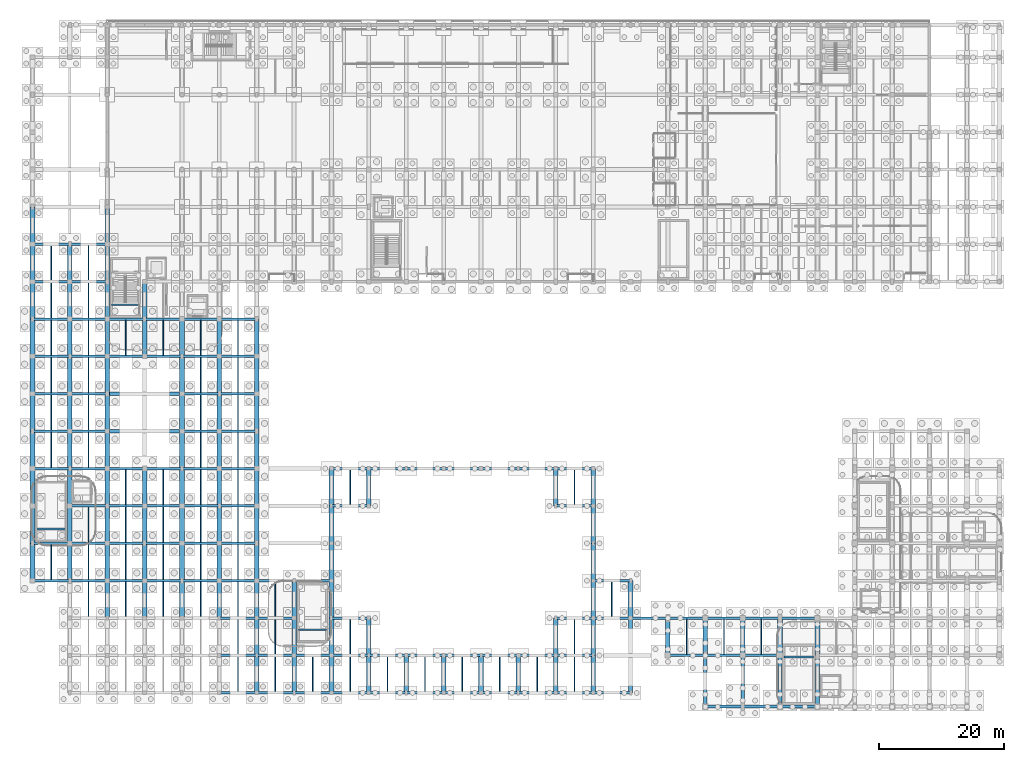
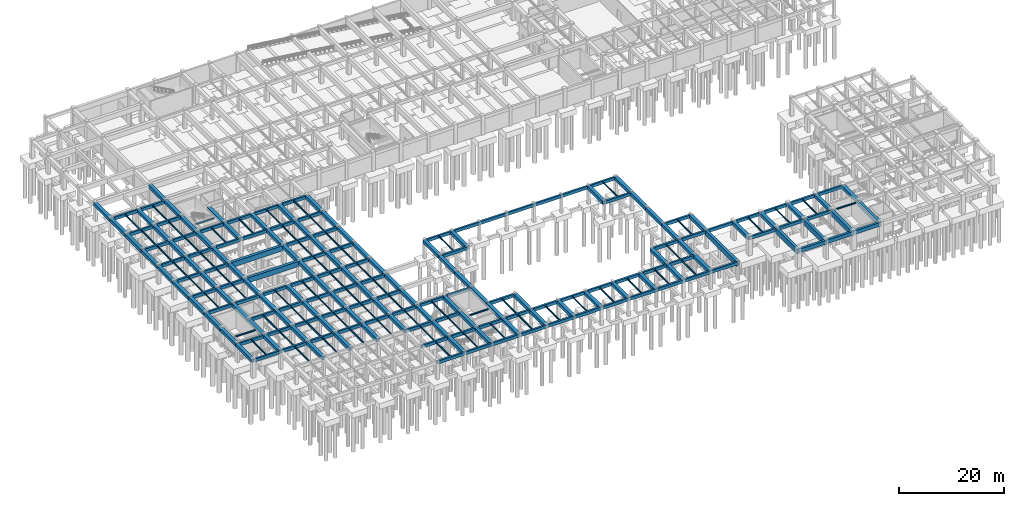
# One storey, part 13 of 32: 263 beams.
"""IFC4 building model written with IfcOpenShell, lengths in metres."""

from ifc_helpers import new_model, si_unit, direction, frame, origin, origin_2d, place, context, subcontext, project, spatial, rectangle, i_section, extrude, material, material_profile, profile_set, type_object, element, save


model = new_model("IFC4")

# Units and contexts
model_context = context("Model", 3, precision=1e-05, world=origin(), true_north=direction((0.0, 1.0)))
body_context = subcontext(model_context, "Body", "Model", "MODEL_VIEW")
ifc_project = project(units=[si_unit("LENGTHUNIT", "METRE"), si_unit("AREAUNIT", "SQUARE_METRE"), si_unit("VOLUMEUNIT", "CUBIC_METRE"), si_unit("PLANEANGLEUNIT", "RADIAN"), si_unit("MASSUNIT", "GRAM", prefix="KILO")], contexts=[model_context])

# Site, building, storey
site_placement = place(None, origin())
site = spatial("IfcSite", under=ifc_project, at=site_placement, CompositionType="ELEMENT")
building_placement = place(site_placement, origin())
building = spatial("IfcBuilding", under=site, at=building_placement, Name="Varnakota Square Police Headquarters", CompositionType="ELEMENT")
storey_placement = place(building_placement, frame((0.0, 0.0, -4.5)))
storey = spatial("IfcBuildingStorey", under=building, at=storey_placement, Name="B1", CompositionType="ELEMENT", Elevation=-4.5)

# Beams
ifc_material_1 = material(Name="Steel IS 2062 Grade 350", Category="steel")
ifc_material_profile_1 = material_profile(ifc_material_1, i_section(OverallWidth=0.25, OverallDepth=0.300048828125, WebThickness=0.009521484375, FlangeThickness=0.010498046875, FilletRadius=0.011962890625, at=origin_2d()), Name="ISHB 300")
ifc_profile_set_1 = profile_set([ifc_material_profile_1], Name="Steel IS 2062 Grade 350")
beam_type_1 = type_object("IfcBeamType", Name="BM-ISHB300", PredefinedType="BEAM", material=ifc_profile_set_1)
for number, where, z_axis, x_axis, name in (
    (1, (126.60009765625, 8.75, 4.070068359375), (1.0, 0.0, 0.0), (0.0, 1.0, 0.0), "Stair landing support beam BM-LND-0003"),
    (2, (6.60009765625, 29.300048828125, 4.050048828125), (1.0, 0.0, 0.0), (0.0, 1.0, 0.0), "Stair landing support beam BM-LND-0048"),
):
    element("IfcBeam", number, at=place(storey_placement, frame(where, z_axis=z_axis, x_axis=x_axis)), inside=storey, type_object=beam_type_1, Name=name, PredefinedType="BEAM", context=body_context, shape_type="SweptSolid", body=[
        extrude(i_section(OverallWidth=0.25, OverallDepth=0.300048828125, WebThickness=0.009521484375, FlangeThickness=0.010498046875, FilletRadius=0.011962890625, at=origin_2d()), origin(), (0.0, 0.0, 1.0), 4.7998046875),
    ])
for number, where, z_axis, x_axis, name in (
    (3, (18.699951171875, 65.300048828125, 4.050048828125), (1.0, 0.0, 0.0), (0.0, 1.0, 0.0), "Stair landing support beam BM-LND-0058"),
    (4, (48.699951171875, 13.10009765625, 4.10009765625), (1.0, 0.0, 0.0), (0.0, 1.0, 0.0), "Stair landing support beam BM-LND-0104"),
):
    element("IfcBeam", number, at=place(storey_placement, frame(where, z_axis=z_axis, x_axis=x_axis)), inside=storey, type_object=beam_type_1, Name=name, PredefinedType="BEAM", context=body_context, shape_type="SweptSolid", body=[
        extrude(i_section(OverallWidth=0.25, OverallDepth=0.300048828125, WebThickness=0.009521484375, FlangeThickness=0.010498046875, FilletRadius=0.011962890625, at=origin_2d()), origin(), (0.0, 0.0, 1.0), 4.5),
    ])
ifc_material_profile_2 = material_profile(ifc_material_1, i_section(OverallWidth=0.139892578125, OverallDepth=0.300048828125, WebThickness=0.0078125, FlangeThickness=0.01318359375, FilletRadius=0.013916015625, at=origin_2d()), Name="ISMB 300")
ifc_profile_set_2 = profile_set([ifc_material_profile_2], Name="Steel IS 2062 Grade 350")
beam_type_2 = type_object("IfcBeamType", Name="BM-ISMB300", PredefinedType="JOIST", material=ifc_profile_set_2)
for number, where, z_axis, x_axis, name in (
    (5, (9.0, 45.197998046875, 4.050048828125), (0.0, 1.0, 0.0), (-1.0, 0.0, 0.0), "BMG-B1-0552"),
    (6, (9.0, 63.197998046875, 4.050048828125), (0.0, 1.0, 0.0), (-1.0, 0.0, 0.0), "BMG-B1-0555"),
    (7, (15.0, 21.197998046875, 4.050048828125), (0.0, 1.0, 0.0), (-1.0, 0.0, 0.0), "BMG-B1-0560"),
    (8, (15.0, 39.197998046875, 4.050048828125), (0.0, 1.0, 0.0), (-1.0, 0.0, 0.0), "BMG-B1-0562"),
    (9, (15.0, 57.197998046875, 4.050048828125), (0.0, 1.0, 0.0), (-1.0, 0.0, 0.0), "BMG-B1-0565"),
    (10, (21.0, 15.197998046875, 4.050048828125), (0.0, 1.0, 0.0), (-1.0, 0.0, 0.0), "BMG-B1-0570"),
    (11, (21.0, 33.197998046875, 4.050048828125), (0.0, 1.0, 0.0), (-1.0, 0.0, 0.0), "BMG-B1-0573"),
    (12, (27.0, 27.197998046875, 4.050048828125), (0.0, 1.0, 0.0), (-1.0, 0.0, 0.0), "BMG-B1-0579"),
    (13, (33.0, 21.197998046875, 4.050048828125), (0.0, 1.0, 0.0), (-1.0, 0.0, 0.0), "BMG-B1-0586"),
    (14, (33.0, 39.197998046875, 4.050048828125), (0.0, 1.0, 0.0), (-1.0, 0.0, 0.0), "BMG-B1-0589"),
    (15, (33.0, 57.197998046875, 4.050048828125), (0.0, 1.0, 0.0), (-1.0, 0.0, 0.0), "BMG-B1-0592"),
    (16, (39.0, 15.197998046875, 4.050048828125), (0.0, 1.0, 0.0), (-1.0, 0.0, 0.0), "BMG-B1-0598"),
    (17, (39.0, 33.197998046875, 4.050048828125), (0.0, 1.0, 0.0), (-1.0, 0.0, 0.0), "BMG-B1-0601"),
    (18, (39.0, 51.197998046875, 4.050048828125), (0.0, 1.0, 0.0), (-1.0, 0.0, 0.0), "BMG-B1-0604"),
    (19, (45.0, 9.197998046875, 4.050048828125), (0.0, 1.0, 0.0), (-1.0, 0.0, 0.0), "BMG-B1-0611"),
    (20, (51.0, 3.197998046875, 4.050048828125), (0.0, 1.0, 0.0), (-1.0, 0.0, 0.0), "BMG-B1-0616"),
    (21, (57.0, 33.197998046875, 4.050048828125), (0.0, 1.0, 0.0), (-1.0, 0.0, 0.0), "BMG-B1-0621"),
    (22, (69.0, 3.197998046875, 4.050048828125), (0.0, 1.0, 0.0), (-1.0, 0.0, 0.0), "BMG-B1-0623"),
    (23, (87.0, 3.197998046875, 4.050048828125), (0.0, 1.0, 0.0), (-1.0, 0.0, 0.0), "BMG-B1-0629"),
    (24, (93.0, 33.197998046875, 4.050048828125), (0.0, 1.0, 0.0), (-1.0, 0.0, 0.0), "BMG-B1-0633"),
    (25, (117.0, 9.197998046875, 4.050048828125), (0.0, 1.0, 0.0), (-1.0, 0.0, 0.0), "BMG-B1-0641"),
):
    element("IfcBeam", number, at=place(storey_placement, frame(where, z_axis=z_axis, x_axis=x_axis)), inside=storey, type_object=beam_type_2, Name=name, PredefinedType="JOIST", context=body_context, shape_type="SweptSolid", body=[
        extrude(i_section(OverallWidth=0.139892578125, OverallDepth=0.300048828125, WebThickness=0.0078125, FlangeThickness=0.01318359375, FilletRadius=0.013916015625, at=origin_2d()), origin(), (0.0, 0.0, 1.0), 5.60400390625),
    ])
ifc_material_profile_3 = material_profile(ifc_material_1, i_section(OverallWidth=0.139892578125, OverallDepth=0.35009765625, WebThickness=0.008056640625, FlangeThickness=0.01416015625, FilletRadius=0.013916015625, at=origin_2d()), Name="ISMB 350")
ifc_profile_set_3 = profile_set([ifc_material_profile_3], Name="Steel IS 2062 Grade 350")
beam_type_3 = type_object("IfcBeamType", Name="BM-ISMB350", PredefinedType="JOIST", material=ifc_profile_set_3)
for number, where, z_axis, x_axis, name in (
    (26, (9.0, 21.197998046875, 4.02490234375), (0.0, 1.0, 0.0), (-1.0, 0.0, 0.0), "BMG-B1-0550"),
    (27, (9.0, 39.197998046875, 4.02490234375), (0.0, 1.0, 0.0), (-1.0, 0.0, 0.0), "BMG-B1-0551"),
    (28, (9.0, 57.197998046875, 4.02490234375), (0.0, 1.0, 0.0), (-1.0, 0.0, 0.0), "BMG-B1-0554"),
    (29, (15.0, 15.197998046875, 4.02490234375), (0.0, 1.0, 0.0), (-1.0, 0.0, 0.0), "BMG-B1-0559"),
    (30, (15.0, 51.197998046875, 4.02490234375), (0.0, 1.0, 0.0), (-1.0, 0.0, 0.0), "BMG-B1-0564"),
    (31, (15.0, 69.197998046875, 4.02490234375), (0.0, 1.0, 0.0), (-1.0, 0.0, 0.0), "BMG-B1-0567"),
    (32, (21.0, 27.197998046875, 4.02490234375), (0.0, 1.0, 0.0), (-1.0, 0.0, 0.0), "BMG-B1-0572"),
    (33, (27.0, 21.197998046875, 4.02490234375), (0.0, 1.0, 0.0), (-1.0, 0.0, 0.0), "BMG-B1-0578"),
    (34, (27.0, 57.197998046875, 4.02490234375), (0.0, 1.0, 0.0), (-1.0, 0.0, 0.0), "BMG-B1-0581"),
    (35, (33.0, 15.197998046875, 4.02490234375), (0.0, 1.0, 0.0), (-1.0, 0.0, 0.0), "BMG-B1-0585"),
    (36, (33.0, 33.197998046875, 4.02490234375), (0.0, 1.0, 0.0), (-1.0, 0.0, 0.0), "BMG-B1-0588"),
    (37, (33.0, 51.197998046875, 4.02490234375), (0.0, 1.0, 0.0), (-1.0, 0.0, 0.0), "BMG-B1-0591"),
    (38, (39.0, 9.197998046875, 4.02490234375), (0.0, 1.0, 0.0), (-1.0, 0.0, 0.0), "BMG-B1-0597"),
    (39, (39.0, 27.197998046875, 4.02490234375), (0.0, 1.0, 0.0), (-1.0, 0.0, 0.0), "BMG-B1-0600"),
    (40, (39.0, 45.197998046875, 4.02490234375), (0.0, 1.0, 0.0), (-1.0, 0.0, 0.0), "BMG-B1-0603"),
    (41, (45.0, 3.197998046875, 4.02490234375), (0.0, 1.0, 0.0), (-1.0, 0.0, 0.0), "BMG-B1-0610"),
    (42, (57.0, 9.197998046875, 4.02490234375), (0.0, 1.0, 0.0), (-1.0, 0.0, 0.0), "BMG-B1-0620"),
    (43, (63.0, 3.197998046875, 4.02490234375), (0.0, 1.0, 0.0), (-1.0, 0.0, 0.0), "BMG-B1-0622"),
    (44, (81.0, 3.197998046875, 4.02490234375), (0.0, 1.0, 0.0), (-1.0, 0.0, 0.0), "BMG-B1-0627"),
    (45, (93.0, 9.197998046875, 4.02490234375), (0.0, 1.0, 0.0), (-1.0, 0.0, 0.0), "BMG-B1-0632"),
    (46, (111.0, 9.197998046875, 4.02490234375), (0.0, 1.0, 0.0), (-1.0, 0.0, 0.0), "BMG-B1-0636"),
):
    element("IfcBeam", number, at=place(storey_placement, frame(where, z_axis=z_axis, x_axis=x_axis)), inside=storey, type_object=beam_type_3, Name=name, PredefinedType="JOIST", context=body_context, shape_type="SweptSolid", body=[
        extrude(i_section(OverallWidth=0.139892578125, OverallDepth=0.35009765625, WebThickness=0.008056640625, FlangeThickness=0.01416015625, FilletRadius=0.013916015625, at=origin_2d()), origin(), (0.0, 0.0, 1.0), 5.60400390625),
    ])
ifc_material_profile_4 = material_profile(ifc_material_1, i_section(OverallWidth=0.139892578125, OverallDepth=0.39990234375, WebThickness=0.0087890625, FlangeThickness=0.01611328125, FilletRadius=0.013916015625, at=origin_2d()), Name="ISMB 400")
ifc_profile_set_4 = profile_set([ifc_material_profile_4], Name="Steel IS 2062 Grade 350")
beam_type_4 = type_object("IfcBeamType", Name="BM-ISMB400", PredefinedType="JOIST", material=ifc_profile_set_4)
for number, where, z_axis, x_axis, name in (
    (47, (9.0, 51.197998046875, 4.0), (0.0, 1.0, 0.0), (-1.0, 0.0, 0.0), "BMG-B1-0553"),
    (48, (9.0, 69.197998046875, 4.0), (0.0, 1.0, 0.0), (-1.0, 0.0, 0.0), "BMG-B1-0556"),
    (49, (15.0, 27.197998046875, 4.0), (0.0, 1.0, 0.0), (-1.0, 0.0, 0.0), "BMG-B1-0561"),
    (50, (15.0, 45.197998046875, 4.0), (0.0, 1.0, 0.0), (-1.0, 0.0, 0.0), "BMG-B1-0563"),
    (51, (15.0, 63.197998046875, 4.0), (0.0, 1.0, 0.0), (-1.0, 0.0, 0.0), "BMG-B1-0566"),
    (52, (21.0, 21.197998046875, 4.0), (0.0, 1.0, 0.0), (-1.0, 0.0, 0.0), "BMG-B1-0571"),
    (53, (21.0, 57.197998046875, 4.0), (0.0, 1.0, 0.0), (-1.0, 0.0, 0.0), "BMG-B1-0574"),
    (54, (27.0, 15.197998046875, 4.0), (0.0, 1.0, 0.0), (-1.0, 0.0, 0.0), "BMG-B1-0577"),
    (55, (27.0, 33.197998046875, 4.0), (0.0, 1.0, 0.0), (-1.0, 0.0, 0.0), "BMG-B1-0580"),
    (56, (33.0, 27.197998046875, 4.0), (0.0, 1.0, 0.0), (-1.0, 0.0, 0.0), "BMG-B1-0587"),
    (57, (33.0, 45.197998046875, 4.0), (0.0, 1.0, 0.0), (-1.0, 0.0, 0.0), "BMG-B1-0590"),
    (58, (39.0, 3.197998046875, 4.0), (0.0, 1.0, 0.0), (-1.0, 0.0, 0.0), "BMG-B1-0596"),
    (59, (39.0, 21.197998046875, 4.0), (0.0, 1.0, 0.0), (-1.0, 0.0, 0.0), "BMG-B1-0599"),
    (60, (39.0, 39.197998046875, 4.0), (0.0, 1.0, 0.0), (-1.0, 0.0, 0.0), "BMG-B1-0602"),
    (61, (39.0, 57.197998046875, 4.0), (0.0, 1.0, 0.0), (-1.0, 0.0, 0.0), "BMG-B1-0605"),
    (62, (45.0, 15.197998046875, 4.0), (0.0, 1.0, 0.0), (-1.0, 0.0, 0.0), "BMG-B1-0612"),
    (63, (57.0, 3.197998046875, 4.0), (0.0, 1.0, 0.0), (-1.0, 0.0, 0.0), "BMG-B1-0619"),
    (64, (75.0, 3.197998046875, 4.0), (0.0, 1.0, 0.0), (-1.0, 0.0, 0.0), "BMG-B1-0625"),
    (65, (93.0, 3.197998046875, 4.0), (0.0, 1.0, 0.0), (-1.0, 0.0, 0.0), "BMG-B1-0631"),
    (66, (99.0, 15.197998046875, 4.0), (0.0, 1.0, 0.0), (-1.0, 0.0, 0.0), "BMG-B1-0635"),
    (67, (123.0, 9.197998046875, 4.0), (0.0, 1.0, 0.0), (-1.0, 0.0, 0.0), "BMG-B1-0645"),
):
    element("IfcBeam", number, at=place(storey_placement, frame(where, z_axis=z_axis, x_axis=x_axis)), inside=storey, type_object=beam_type_4, Name=name, PredefinedType="JOIST", context=body_context, shape_type="SweptSolid", body=[
        extrude(i_section(OverallWidth=0.139892578125, OverallDepth=0.39990234375, WebThickness=0.0087890625, FlangeThickness=0.01611328125, FilletRadius=0.013916015625, at=origin_2d()), origin(), (0.0, 0.0, 1.0), 5.60400390625),
    ])
ifc_material_2 = material(Name="Concrete M40", Category="concrete")
ifc_material_profile_5 = material_profile(ifc_material_2, rectangle(XDim=0.39990234375, YDim=0.699951171875, at=origin_2d()), Name="RC 400x700")
ifc_profile_set_5 = profile_set([ifc_material_profile_5], Name="Concrete M40")
beam_type_5 = type_object("IfcBeamType", Name="BM-RC400x700", PredefinedType="BEAM", material=ifc_profile_set_5)
for number, where, z_axis, x_axis, name in (
    (68, (36.0, 3.0, 3.85009765625), (1.0, 0.0, 0.0), (0.0, 1.0, 0.0), "BMG-B1-0012"),
    (69, (42.0, 3.0, 3.85009765625), (1.0, 0.0, 0.0), (0.0, 1.0, 0.0), "BMG-B1-0013"),
    (70, (48.0, 3.0, 3.85009765625), (1.0, 0.0, 0.0), (0.0, 1.0, 0.0), "BMG-B1-0014"),
    (71, (54.0, 3.0, 3.85009765625), (1.0, 0.0, 0.0), (0.0, 1.0, 0.0), "BMG-B1-0015"),
    (72, (60.0, 3.0, 3.85009765625), (1.0, 0.0, 0.0), (0.0, 1.0, 0.0), "BMG-B1-0016"),
    (73, (66.0, 3.0, 3.85009765625), (1.0, 0.0, 0.0), (0.0, 1.0, 0.0), "BMG-B1-0017"),
    (74, (72.0, 3.0, 3.85009765625), (1.0, 0.0, 0.0), (0.0, 1.0, 0.0), "BMG-B1-0018"),
    (75, (78.0, 3.0, 3.85009765625), (1.0, 0.0, 0.0), (0.0, 1.0, 0.0), "BMG-B1-0019"),
    (76, (84.0, 3.0, 3.85009765625), (1.0, 0.0, 0.0), (0.0, 1.0, 0.0), "BMG-B1-0020"),
    (77, (90.0, 3.0, 3.85009765625), (1.0, 0.0, 0.0), (0.0, 1.0, 0.0), "BMG-B1-0021"),
    (78, (96.0, 3.0, 3.85009765625), (1.0, 0.0, 0.0), (0.0, 1.0, 0.0), "BMG-B1-0022"),
    (79, (36.0, 9.0, 3.85009765625), (1.0, 0.0, 0.0), (0.0, 1.0, 0.0), "BMG-B1-0027"),
    (80, (42.0, 9.0, 3.85009765625), (1.0, 0.0, 0.0), (0.0, 1.0, 0.0), "BMG-B1-0028"),
    (81, (48.0, 9.0, 3.85009765625), (1.0, 0.0, 0.0), (0.0, 1.0, 0.0), "BMG-B1-0029"),
    (82, (54.0, 9.0, 3.85009765625), (1.0, 0.0, 0.0), (0.0, 1.0, 0.0), "BMG-B1-0030"),
    (83, (60.0, 9.0, 3.85009765625), (1.0, 0.0, 0.0), (0.0, 1.0, 0.0), "BMG-B1-0031"),
    (84, (66.0, 9.0, 3.85009765625), (1.0, 0.0, 0.0), (0.0, 1.0, 0.0), "BMG-B1-0032"),
    (85, (72.0, 9.0, 3.85009765625), (1.0, 0.0, 0.0), (0.0, 1.0, 0.0), "BMG-B1-0033"),
    (86, (78.0, 9.0, 3.85009765625), (1.0, 0.0, 0.0), (0.0, 1.0, 0.0), "BMG-B1-0034"),
    (87, (84.0, 9.0, 3.85009765625), (1.0, 0.0, 0.0), (0.0, 1.0, 0.0), "BMG-B1-0035"),
    (88, (90.0, 9.0, 3.85009765625), (1.0, 0.0, 0.0), (0.0, 1.0, 0.0), "BMG-B1-0036"),
    (89, (108.0, 9.0, 3.85009765625), (1.0, 0.0, 0.0), (0.0, 1.0, 0.0), "BMG-B1-0037"),
    (90, (114.0, 9.0, 3.85009765625), (1.0, 0.0, 0.0), (0.0, 1.0, 0.0), "BMG-B1-0038"),
    (91, (120.0, 9.0, 3.85009765625), (1.0, 0.0, 0.0), (0.0, 1.0, 0.0), "BMG-B1-0039"),
    (92, (36.0, 15.0, 3.85009765625), (1.0, 0.0, 0.0), (0.0, 1.0, 0.0), "BMG-B1-0049"),
    (93, (42.0, 15.0, 3.85009765625), (1.0, 0.0, 0.0), (0.0, 1.0, 0.0), "BMG-B1-0050"),
    (94, (54.0, 15.0, 3.85009765625), (1.0, 0.0, 0.0), (0.0, 1.0, 0.0), "BMG-B1-0051"),
    (95, (90.0, 15.0, 3.85009765625), (1.0, 0.0, 0.0), (0.0, 1.0, 0.0), "BMG-B1-0052"),
    (96, (96.0, 15.0, 3.85009765625), (1.0, 0.0, 0.0), (0.0, 1.0, 0.0), "BMG-B1-0053"),
    (97, (102.0, 15.0, 3.85009765625), (1.0, 0.0, 0.0), (0.0, 1.0, 0.0), "BMG-B1-0054"),
    (98, (108.0, 15.0, 3.85009765625), (1.0, 0.0, 0.0), (0.0, 1.0, 0.0), "BMG-B1-0055"),
    (99, (114.0, 15.0, 3.85009765625), (1.0, 0.0, 0.0), (0.0, 1.0, 0.0), "BMG-B1-0056"),
    (100, (120.0, 15.0, 3.85009765625), (1.0, 0.0, 0.0), (0.0, 1.0, 0.0), "BMG-B1-0057"),
    (101, (126.0, 15.0, 3.85009765625), (1.0, 0.0, 0.0), (0.0, 1.0, 0.0), "BMG-B1-0058"),
    (102, (6.0, 21.0, 3.85009765625), (1.0, 0.0, 0.0), (0.0, 1.0, 0.0), "BMG-B1-0064"),
    (103, (12.0, 21.0, 3.85009765625), (1.0, 0.0, 0.0), (0.0, 1.0, 0.0), "BMG-B1-0065"),
    (104, (18.0, 21.0, 3.85009765625), (1.0, 0.0, 0.0), (0.0, 1.0, 0.0), "BMG-B1-0066"),
    (105, (24.0, 21.0, 3.85009765625), (1.0, 0.0, 0.0), (0.0, 1.0, 0.0), "BMG-B1-0067"),
    (106, (30.0, 21.0, 3.85009765625), (1.0, 0.0, 0.0), (0.0, 1.0, 0.0), "BMG-B1-0068"),
    (107, (36.0, 21.0, 3.85009765625), (1.0, 0.0, 0.0), (0.0, 1.0, 0.0), "BMG-B1-0069"),
    (108, (42.0, 21.0, 3.85009765625), (1.0, 0.0, 0.0), (0.0, 1.0, 0.0), "BMG-B1-0070"),
    (109, (48.0, 21.0, 3.85009765625), (1.0, 0.0, 0.0), (0.0, 1.0, 0.0), "BMG-B1-0071"),
    (110, (96.0, 21.0, 3.85009765625), (1.0, 0.0, 0.0), (0.0, 1.0, 0.0), "BMG-B1-0072"),
    (111, (6.0, 27.0, 3.85009765625), (1.0, 0.0, 0.0), (0.0, 1.0, 0.0), "BMG-B1-0077"),
    (112, (12.0, 27.0, 3.85009765625), (1.0, 0.0, 0.0), (0.0, 1.0, 0.0), "BMG-B1-0078"),
    (113, (18.0, 27.0, 3.85009765625), (1.0, 0.0, 0.0), (0.0, 1.0, 0.0), "BMG-B1-0079"),
    (114, (24.0, 27.0, 3.85009765625), (1.0, 0.0, 0.0), (0.0, 1.0, 0.0), "BMG-B1-0080"),
    (115, (30.0, 27.0, 3.85009765625), (1.0, 0.0, 0.0), (0.0, 1.0, 0.0), "BMG-B1-0081"),
    (116, (36.0, 27.0, 3.85009765625), (1.0, 0.0, 0.0), (0.0, 1.0, 0.0), "BMG-B1-0082"),
    (117, (12.0, 33.0, 3.85009765625), (1.0, 0.0, 0.0), (0.0, 1.0, 0.0), "BMG-B1-0087"),
    (118, (18.0, 33.0, 3.85009765625), (1.0, 0.0, 0.0), (0.0, 1.0, 0.0), "BMG-B1-0088"),
    (119, (24.0, 33.0, 3.85009765625), (1.0, 0.0, 0.0), (0.0, 1.0, 0.0), "BMG-B1-0089"),
    (120, (30.0, 33.0, 3.85009765625), (1.0, 0.0, 0.0), (0.0, 1.0, 0.0), "BMG-B1-0090"),
    (121, (36.0, 33.0, 3.85009765625), (1.0, 0.0, 0.0), (0.0, 1.0, 0.0), "BMG-B1-0091"),
    (122, (54.0, 33.0, 3.85009765625), (1.0, 0.0, 0.0), (0.0, 1.0, 0.0), "BMG-B1-0092"),
    (123, (90.0, 33.0, 3.85009765625), (1.0, 0.0, 0.0), (0.0, 1.0, 0.0), "BMG-B1-0093"),
    (124, (6.0, 39.0, 3.85009765625), (1.0, 0.0, 0.0), (0.0, 1.0, 0.0), "BMG-B1-0097"),
    (125, (12.0, 39.0, 3.85009765625), (1.0, 0.0, 0.0), (0.0, 1.0, 0.0), "BMG-B1-0098"),
    (126, (18.0, 39.0, 3.85009765625), (1.0, 0.0, 0.0), (0.0, 1.0, 0.0), "BMG-B1-0099"),
    (127, (24.0, 39.0, 3.85009765625), (1.0, 0.0, 0.0), (0.0, 1.0, 0.0), "BMG-B1-0100"),
    (128, (30.0, 39.0, 3.85009765625), (1.0, 0.0, 0.0), (0.0, 1.0, 0.0), "BMG-B1-0101"),
    (129, (36.0, 39.0, 3.85009765625), (1.0, 0.0, 0.0), (0.0, 1.0, 0.0), "BMG-B1-0102"),
    (130, (54.0, 39.0, 3.85009765625), (1.0, 0.0, 0.0), (0.0, 1.0, 0.0), "BMG-B1-0103"),
    (131, (60.0, 39.0, 3.85009765625), (1.0, 0.0, 0.0), (0.0, 1.0, 0.0), "BMG-B1-0104"),
    (132, (66.0, 39.0, 3.85009765625), (1.0, 0.0, 0.0), (0.0, 1.0, 0.0), "BMG-B1-0105"),
    (133, (72.0, 39.0, 3.85009765625), (1.0, 0.0, 0.0), (0.0, 1.0, 0.0), "BMG-B1-0106"),
    (134, (78.0, 39.0, 3.85009765625), (1.0, 0.0, 0.0), (0.0, 1.0, 0.0), "BMG-B1-0107"),
    (135, (84.0, 39.0, 3.85009765625), (1.0, 0.0, 0.0), (0.0, 1.0, 0.0), "BMG-B1-0108"),
    (136, (90.0, 39.0, 3.85009765625), (1.0, 0.0, 0.0), (0.0, 1.0, 0.0), "BMG-B1-0109"),
    (137, (6.0, 45.0, 3.85009765625), (1.0, 0.0, 0.0), (0.0, 1.0, 0.0), "BMG-B1-0114"),
    (138, (12.0, 45.0, 3.85009765625), (1.0, 0.0, 0.0), (0.0, 1.0, 0.0), "BMG-B1-0115"),
    (139, (30.0, 45.0, 3.85009765625), (1.0, 0.0, 0.0), (0.0, 1.0, 0.0), "BMG-B1-0117"),
    (140, (36.0, 45.0, 3.85009765625), (1.0, 0.0, 0.0), (0.0, 1.0, 0.0), "BMG-B1-0118"),
    (141, (6.0, 51.0, 3.85009765625), (1.0, 0.0, 0.0), (0.0, 1.0, 0.0), "BMG-B1-0122"),
    (142, (12.0, 51.0, 3.85009765625), (1.0, 0.0, 0.0), (0.0, 1.0, 0.0), "BMG-B1-0123"),
    (143, (30.0, 51.0, 3.85009765625), (1.0, 0.0, 0.0), (0.0, 1.0, 0.0), "BMG-B1-0125"),
    (144, (36.0, 51.0, 3.85009765625), (1.0, 0.0, 0.0), (0.0, 1.0, 0.0), "BMG-B1-0126"),
    (145, (6.0, 57.0, 3.85009765625), (1.0, 0.0, 0.0), (0.0, 1.0, 0.0), "BMG-B1-0127"),
    (146, (12.0, 57.0, 3.85009765625), (1.0, 0.0, 0.0), (0.0, 1.0, 0.0), "BMG-B1-0128"),
    (147, (18.0, 57.0, 3.85009765625), (1.0, 0.0, 0.0), (0.0, 1.0, 0.0), "BMG-B1-0129"),
    (148, (24.0, 57.0, 3.85009765625), (1.0, 0.0, 0.0), (0.0, 1.0, 0.0), "BMG-B1-0130"),
    (149, (30.0, 57.0, 3.85009765625), (1.0, 0.0, 0.0), (0.0, 1.0, 0.0), "BMG-B1-0131"),
    (150, (36.0, 57.0, 3.85009765625), (1.0, 0.0, 0.0), (0.0, 1.0, 0.0), "BMG-B1-0132"),
    (151, (6.0, 63.0, 3.85009765625), (1.0, 0.0, 0.0), (0.0, 1.0, 0.0), "BMG-B1-0133"),
    (152, (12.0, 63.0, 3.85009765625), (1.0, 0.0, 0.0), (0.0, 1.0, 0.0), "BMG-B1-0134"),
    (153, (18.0, 63.0, 3.85009765625), (1.0, 0.0, 0.0), (0.0, 1.0, 0.0), "BMG-B1-0135"),
    (154, (24.0, 63.0, 3.85009765625), (1.0, 0.0, 0.0), (0.0, 1.0, 0.0), "BMG-B1-0136"),
    (155, (30.0, 63.0, 3.85009765625), (1.0, 0.0, 0.0), (0.0, 1.0, 0.0), "BMG-B1-0137"),
    (156, (36.0, 63.0, 3.85009765625), (1.0, 0.0, 0.0), (0.0, 1.0, 0.0), "BMG-B1-0138"),
    (157, (6.0, 69.0, 3.85009765625), (1.0, 0.0, 0.0), (0.0, 1.0, 0.0), "BMG-B1-0139"),
    (158, (12.0, 69.0, 3.85009765625), (1.0, 0.0, 0.0), (0.0, 1.0, 0.0), "BMG-B1-0140"),
    (159, (6.0, 75.0, 3.85009765625), (1.0, 0.0, 0.0), (0.0, 1.0, 0.0), "BMG-B1-0164"),
    (160, (12.0, 75.0, 3.85009765625), (1.0, 0.0, 0.0), (0.0, 1.0, 0.0), "BMG-B1-0165"),
):
    element("IfcBeam", number, at=place(storey_placement, frame(where, z_axis=z_axis, x_axis=x_axis)), inside=storey, type_object=beam_type_5, Name=name, PredefinedType="BEAM", context=body_context, shape_type="SweptSolid", body=[
        extrude(rectangle(XDim=0.39990234375, YDim=0.699951171875, at=origin_2d()), origin(), (0.0, 0.0, 1.0), 6.0),
    ])
ifc_material_profile_6 = material_profile(ifc_material_2, rectangle(XDim=0.5, YDim=0.85009765625, at=origin_2d()), Name="RC 500x850")
ifc_profile_set_6 = profile_set([ifc_material_profile_6], Name="Concrete M40")
beam_type_6 = type_object("IfcBeamType", Name="BM-RC500x850", PredefinedType="BEAM", material=ifc_profile_set_6)
for number, where, z_axis, x_axis, name in (
    (161, (114.0, 0.800048828125, 3.77490234375), (1.0, 0.0, 0.0), (0.0, 1.0, 0.0), "BMG-B1-0001"),
    (162, (120.0, 0.800048828125, 3.77490234375), (1.0, 0.0, 0.0), (0.0, 1.0, 0.0), "BMG-B1-0002"),
    (163, (126.0, 0.800048828125, 3.77490234375), (1.0, 0.0, 0.0), (0.0, 1.0, 0.0), "BMG-B1-0003"),
):
    element("IfcBeam", number, at=place(storey_placement, frame(where, z_axis=z_axis, x_axis=x_axis)), inside=storey, type_object=beam_type_6, Name=name, PredefinedType="BEAM", context=body_context, shape_type="SweptSolid", body=[
        extrude(rectangle(XDim=0.5, YDim=0.85009765625, at=origin_2d()), origin(), (0.0, 0.0, 1.0), 6.0),
    ])
ifc_material_3 = material(Name="Concrete M50", Category="concrete")
ifc_material_profile_7 = material_profile(ifc_material_3, rectangle(XDim=0.60009765625, YDim=1.199951171875, at=origin_2d()), Name="RC 600x1200")
ifc_profile_set_7 = profile_set([ifc_material_profile_7], Name="Concrete M50")
beam_type_7 = type_object("IfcBeamType", Name="BM-RC600x1200", PredefinedType="BEAM", material=ifc_profile_set_7)
for number, where, z_axis, x_axis, name in (
    (164, (18.0, 45.0, 3.60009765625), (1.0, 0.0, 0.0), (0.0, 1.0, 0.0), "BMG-B1-0116"),
    (165, (18.0, 51.0, 3.60009765625), (1.0, 0.0, 0.0), (0.0, 1.0, 0.0), "BMG-B1-0124"),
    (166, (102.0, 3.0, 3.60009765625), (0.0, 1.0, 0.0), (-1.0, 0.0, 0.0), "BMG-B1-0449"),
):
    element("IfcBeam", number, at=place(storey_placement, frame(where, z_axis=z_axis, x_axis=x_axis)), inside=storey, type_object=beam_type_7, Name=name, PredefinedType="BEAM", context=body_context, shape_type="SweptSolid", body=[
        extrude(rectangle(XDim=0.60009765625, YDim=1.199951171875, at=origin_2d()), origin(), (0.0, 0.0, 1.0), 12.0),
    ])
for number, where, z_axis, x_axis, name in (
    (167, (114.0, 0.800048828125, 3.60009765625), (0.0, 1.0, 0.0), (-1.0, 0.0, 0.0), "BMG-B1-0457"),
    (168, (120.0, 0.800048828125, 3.60009765625), (0.0, 1.0, 0.0), (-1.0, 0.0, 0.0), "BMG-B1-0466"),
    (169, (126.0, 0.800048828125, 3.60009765625), (0.0, 1.0, 0.0), (-1.0, 0.0, 0.0), "BMG-B1-0472"),
    (170, (132.0, 0.800048828125, 3.60009765625), (0.0, 1.0, 0.0), (-1.0, 0.0, 0.0), "BMG-B1-0478"),
):
    element("IfcBeam", number, at=place(storey_placement, frame(where, z_axis=z_axis, x_axis=x_axis)), inside=storey, type_object=beam_type_7, Name=name, PredefinedType="BEAM", context=body_context, shape_type="SweptSolid", body=[
        extrude(rectangle(XDim=0.60009765625, YDim=1.199951171875, at=origin_2d()), origin(), (0.0, 0.0, 1.0), 8.199951171875),
    ])
ifc_material_profile_8 = material_profile(ifc_material_3, rectangle(XDim=0.75, YDim=0.75, at=origin_2d()), Name="RC 750x750")
ifc_profile_set_8 = profile_set([ifc_material_profile_8], Name="Concrete M50")
beam_type_8 = type_object("IfcBeamType", Name="BM-RC750x750", PredefinedType="BEAM", material=ifc_profile_set_8)
for number, where, z_axis, x_axis, name in (
    (171, (6.0, 21.0, 3.824951171875), (0.0, 1.0, 0.0), (-1.0, 0.0, 0.0), "BMG-B1-0283"),
    (172, (6.0, 27.0, 3.824951171875), (0.0, 1.0, 0.0), (-1.0, 0.0, 0.0), "BMG-B1-0284"),
    (173, (6.0, 33.0, 3.824951171875), (0.0, 1.0, 0.0), (-1.0, 0.0, 0.0), "BMG-B1-0285"),
    (174, (6.0, 39.0, 3.824951171875), (0.0, 1.0, 0.0), (-1.0, 0.0, 0.0), "BMG-B1-0286"),
    (175, (6.0, 45.0, 3.824951171875), (0.0, 1.0, 0.0), (-1.0, 0.0, 0.0), "BMG-B1-0287"),
    (176, (6.0, 51.0, 3.824951171875), (0.0, 1.0, 0.0), (-1.0, 0.0, 0.0), "BMG-B1-0288"),
    (177, (6.0, 57.0, 3.824951171875), (0.0, 1.0, 0.0), (-1.0, 0.0, 0.0), "BMG-B1-0289"),
    (178, (6.0, 63.0, 3.824951171875), (0.0, 1.0, 0.0), (-1.0, 0.0, 0.0), "BMG-B1-0290"),
    (179, (6.0, 69.0, 3.824951171875), (0.0, 1.0, 0.0), (-1.0, 0.0, 0.0), "BMG-B1-0291"),
    (180, (6.0, 75.0, 3.824951171875), (0.0, 1.0, 0.0), (-1.0, 0.0, 0.0), "BMG-B1-0292"),
    (181, (12.0, 21.0, 3.824951171875), (0.0, 1.0, 0.0), (-1.0, 0.0, 0.0), "BMG-B1-0300"),
    (182, (12.0, 27.0, 3.824951171875), (0.0, 1.0, 0.0), (-1.0, 0.0, 0.0), "BMG-B1-0301"),
    (183, (12.0, 33.0, 3.824951171875), (0.0, 1.0, 0.0), (-1.0, 0.0, 0.0), "BMG-B1-0302"),
    (184, (12.0, 39.0, 3.824951171875), (0.0, 1.0, 0.0), (-1.0, 0.0, 0.0), "BMG-B1-0303"),
    (185, (12.0, 45.0, 3.824951171875), (0.0, 1.0, 0.0), (-1.0, 0.0, 0.0), "BMG-B1-0304"),
    (186, (12.0, 51.0, 3.824951171875), (0.0, 1.0, 0.0), (-1.0, 0.0, 0.0), "BMG-B1-0305"),
    (187, (12.0, 57.0, 3.824951171875), (0.0, 1.0, 0.0), (-1.0, 0.0, 0.0), "BMG-B1-0306"),
    (188, (12.0, 63.0, 3.824951171875), (0.0, 1.0, 0.0), (-1.0, 0.0, 0.0), "BMG-B1-0307"),
    (189, (12.0, 69.0, 3.824951171875), (0.0, 1.0, 0.0), (-1.0, 0.0, 0.0), "BMG-B1-0308"),
    (190, (18.0, 15.0, 3.824951171875), (0.0, 1.0, 0.0), (-1.0, 0.0, 0.0), "BMG-B1-0313"),
    (191, (18.0, 21.0, 3.824951171875), (0.0, 1.0, 0.0), (-1.0, 0.0, 0.0), "BMG-B1-0314"),
    (192, (18.0, 27.0, 3.824951171875), (0.0, 1.0, 0.0), (-1.0, 0.0, 0.0), "BMG-B1-0315"),
    (193, (18.0, 33.0, 3.824951171875), (0.0, 1.0, 0.0), (-1.0, 0.0, 0.0), "BMG-B1-0316"),
    (194, (18.0, 39.0, 3.824951171875), (0.0, 1.0, 0.0), (-1.0, 0.0, 0.0), "BMG-B1-0317"),
    (195, (18.0, 45.0, 3.824951171875), (0.0, 1.0, 0.0), (-1.0, 0.0, 0.0), "BMG-B1-0318"),
    (196, (18.0, 51.0, 3.824951171875), (0.0, 1.0, 0.0), (-1.0, 0.0, 0.0), "BMG-B1-0319"),
    (197, (18.0, 57.0, 3.824951171875), (0.0, 1.0, 0.0), (-1.0, 0.0, 0.0), "BMG-B1-0320"),
    (198, (18.0, 63.0, 3.824951171875), (0.0, 1.0, 0.0), (-1.0, 0.0, 0.0), "BMG-B1-0321"),
    (199, (18.0, 69.0, 3.824951171875), (0.0, 1.0, 0.0), (-1.0, 0.0, 0.0), "BMG-B1-0322"),
    (200, (18.0, 75.0, 3.824951171875), (0.0, 1.0, 0.0), (-1.0, 0.0, 0.0), "BMG-B1-0323"),
    (201, (24.0, 15.0, 3.824951171875), (0.0, 1.0, 0.0), (-1.0, 0.0, 0.0), "BMG-B1-0330"),
    (202, (24.0, 21.0, 3.824951171875), (0.0, 1.0, 0.0), (-1.0, 0.0, 0.0), "BMG-B1-0331"),
    (203, (24.0, 27.0, 3.824951171875), (0.0, 1.0, 0.0), (-1.0, 0.0, 0.0), "BMG-B1-0332"),
    (204, (24.0, 33.0, 3.824951171875), (0.0, 1.0, 0.0), (-1.0, 0.0, 0.0), "BMG-B1-0333"),
    (205, (24.0, 57.0, 3.824951171875), (0.0, 1.0, 0.0), (-1.0, 0.0, 0.0), "BMG-B1-0334"),
    (206, (24.0, 63.0, 3.824951171875), (0.0, 1.0, 0.0), (-1.0, 0.0, 0.0), "BMG-B1-0335"),
    (207, (30.0, 15.0, 3.824951171875), (0.0, 1.0, 0.0), (-1.0, 0.0, 0.0), "BMG-B1-0338"),
    (208, (30.0, 21.0, 3.824951171875), (0.0, 1.0, 0.0), (-1.0, 0.0, 0.0), "BMG-B1-0339"),
    (209, (30.0, 27.0, 3.824951171875), (0.0, 1.0, 0.0), (-1.0, 0.0, 0.0), "BMG-B1-0340"),
    (210, (30.0, 33.0, 3.824951171875), (0.0, 1.0, 0.0), (-1.0, 0.0, 0.0), "BMG-B1-0341"),
    (211, (30.0, 39.0, 3.824951171875), (0.0, 1.0, 0.0), (-1.0, 0.0, 0.0), "BMG-B1-0342"),
    (212, (30.0, 45.0, 3.824951171875), (0.0, 1.0, 0.0), (-1.0, 0.0, 0.0), "BMG-B1-0343"),
    (213, (30.0, 51.0, 3.824951171875), (0.0, 1.0, 0.0), (-1.0, 0.0, 0.0), "BMG-B1-0344"),
    (214, (30.0, 57.0, 3.824951171875), (0.0, 1.0, 0.0), (-1.0, 0.0, 0.0), "BMG-B1-0345"),
    (215, (36.0, 15.0, 3.824951171875), (0.0, 1.0, 0.0), (-1.0, 0.0, 0.0), "BMG-B1-0355"),
    (216, (36.0, 21.0, 3.824951171875), (0.0, 1.0, 0.0), (-1.0, 0.0, 0.0), "BMG-B1-0356"),
    (217, (36.0, 27.0, 3.824951171875), (0.0, 1.0, 0.0), (-1.0, 0.0, 0.0), "BMG-B1-0357"),
    (218, (36.0, 33.0, 3.824951171875), (0.0, 1.0, 0.0), (-1.0, 0.0, 0.0), "BMG-B1-0358"),
    (219, (36.0, 39.0, 3.824951171875), (0.0, 1.0, 0.0), (-1.0, 0.0, 0.0), "BMG-B1-0359"),
    (220, (36.0, 45.0, 3.824951171875), (0.0, 1.0, 0.0), (-1.0, 0.0, 0.0), "BMG-B1-0360"),
    (221, (36.0, 51.0, 3.824951171875), (0.0, 1.0, 0.0), (-1.0, 0.0, 0.0), "BMG-B1-0361"),
    (222, (36.0, 57.0, 3.824951171875), (0.0, 1.0, 0.0), (-1.0, 0.0, 0.0), "BMG-B1-0362"),
    (223, (42.0, 3.0, 3.824951171875), (0.0, 1.0, 0.0), (-1.0, 0.0, 0.0), "BMG-B1-0368"),
    (224, (42.0, 9.0, 3.824951171875), (0.0, 1.0, 0.0), (-1.0, 0.0, 0.0), "BMG-B1-0369"),
    (225, (42.0, 15.0, 3.824951171875), (0.0, 1.0, 0.0), (-1.0, 0.0, 0.0), "BMG-B1-0370"),
    (226, (42.0, 21.0, 3.824951171875), (0.0, 1.0, 0.0), (-1.0, 0.0, 0.0), "BMG-B1-0371"),
    (227, (42.0, 27.0, 3.824951171875), (0.0, 1.0, 0.0), (-1.0, 0.0, 0.0), "BMG-B1-0372"),
    (228, (42.0, 33.0, 3.824951171875), (0.0, 1.0, 0.0), (-1.0, 0.0, 0.0), "BMG-B1-0373"),
    (229, (42.0, 39.0, 3.824951171875), (0.0, 1.0, 0.0), (-1.0, 0.0, 0.0), "BMG-B1-0374"),
    (230, (42.0, 45.0, 3.824951171875), (0.0, 1.0, 0.0), (-1.0, 0.0, 0.0), "BMG-B1-0375"),
    (231, (42.0, 51.0, 3.824951171875), (0.0, 1.0, 0.0), (-1.0, 0.0, 0.0), "BMG-B1-0376"),
    (232, (42.0, 57.0, 3.824951171875), (0.0, 1.0, 0.0), (-1.0, 0.0, 0.0), "BMG-B1-0377"),
    (233, (48.0, 3.0, 3.824951171875), (0.0, 1.0, 0.0), (-1.0, 0.0, 0.0), "BMG-B1-0385"),
    (234, (48.0, 9.0, 3.824951171875), (0.0, 1.0, 0.0), (-1.0, 0.0, 0.0), "BMG-B1-0386"),
    (235, (48.0, 15.0, 3.824951171875), (0.0, 1.0, 0.0), (-1.0, 0.0, 0.0), "BMG-B1-0387"),
    (236, (54.0, 3.0, 3.824951171875), (0.0, 1.0, 0.0), (-1.0, 0.0, 0.0), "BMG-B1-0394"),
    (237, (54.0, 9.0, 3.824951171875), (0.0, 1.0, 0.0), (-1.0, 0.0, 0.0), "BMG-B1-0395"),
    (238, (54.0, 15.0, 3.824951171875), (0.0, 1.0, 0.0), (-1.0, 0.0, 0.0), "BMG-B1-0396"),
    (239, (54.0, 21.0, 3.824951171875), (0.0, 1.0, 0.0), (-1.0, 0.0, 0.0), "BMG-B1-0397"),
    (240, (54.0, 27.0, 3.824951171875), (0.0, 1.0, 0.0), (-1.0, 0.0, 0.0), "BMG-B1-0398"),
    (241, (54.0, 33.0, 3.824951171875), (0.0, 1.0, 0.0), (-1.0, 0.0, 0.0), "BMG-B1-0399"),
    (242, (60.0, 3.0, 3.824951171875), (0.0, 1.0, 0.0), (-1.0, 0.0, 0.0), "BMG-B1-0405"),
    (243, (60.0, 9.0, 3.824951171875), (0.0, 1.0, 0.0), (-1.0, 0.0, 0.0), "BMG-B1-0406"),
    (244, (60.0, 33.0, 3.824951171875), (0.0, 1.0, 0.0), (-1.0, 0.0, 0.0), "BMG-B1-0407"),
    (245, (66.0, 3.0, 3.824951171875), (0.0, 1.0, 0.0), (-1.0, 0.0, 0.0), "BMG-B1-0412"),
    (246, (72.0, 3.0, 3.824951171875), (0.0, 1.0, 0.0), (-1.0, 0.0, 0.0), "BMG-B1-0417"),
    (247, (78.0, 3.0, 3.824951171875), (0.0, 1.0, 0.0), (-1.0, 0.0, 0.0), "BMG-B1-0422"),
    (248, (84.0, 3.0, 3.824951171875), (0.0, 1.0, 0.0), (-1.0, 0.0, 0.0), "BMG-B1-0427"),
    (249, (90.0, 3.0, 3.824951171875), (0.0, 1.0, 0.0), (-1.0, 0.0, 0.0), "BMG-B1-0432"),
    (250, (90.0, 9.0, 3.824951171875), (0.0, 1.0, 0.0), (-1.0, 0.0, 0.0), "BMG-B1-0433"),
    (251, (90.0, 33.0, 3.824951171875), (0.0, 1.0, 0.0), (-1.0, 0.0, 0.0), "BMG-B1-0434"),
    (252, (96.0, 3.0, 3.824951171875), (0.0, 1.0, 0.0), (-1.0, 0.0, 0.0), "BMG-B1-0439"),
    (253, (96.0, 9.0, 3.824951171875), (0.0, 1.0, 0.0), (-1.0, 0.0, 0.0), "BMG-B1-0440"),
    (254, (96.0, 15.0, 3.824951171875), (0.0, 1.0, 0.0), (-1.0, 0.0, 0.0), "BMG-B1-0441"),
    (255, (96.0, 21.0, 3.824951171875), (0.0, 1.0, 0.0), (-1.0, 0.0, 0.0), "BMG-B1-0442"),
    (256, (96.0, 27.0, 3.824951171875), (0.0, 1.0, 0.0), (-1.0, 0.0, 0.0), "BMG-B1-0443"),
    (257, (96.0, 33.0, 3.824951171875), (0.0, 1.0, 0.0), (-1.0, 0.0, 0.0), "BMG-B1-0444"),
    (258, (102.0, 15.0, 3.824951171875), (0.0, 1.0, 0.0), (-1.0, 0.0, 0.0), "BMG-B1-0450"),
    (259, (108.0, 9.0, 3.824951171875), (0.0, 1.0, 0.0), (-1.0, 0.0, 0.0), "BMG-B1-0451"),
    (260, (114.0, 9.0, 3.824951171875), (0.0, 1.0, 0.0), (-1.0, 0.0, 0.0), "BMG-B1-0458"),
    (261, (120.0, 9.0, 3.824951171875), (0.0, 1.0, 0.0), (-1.0, 0.0, 0.0), "BMG-B1-0467"),
    (262, (126.0, 9.0, 3.824951171875), (0.0, 1.0, 0.0), (-1.0, 0.0, 0.0), "BMG-B1-0473"),
    (263, (132.0, 9.0, 3.824951171875), (0.0, 1.0, 0.0), (-1.0, 0.0, 0.0), "BMG-B1-0479"),
):
    element("IfcBeam", number, at=place(storey_placement, frame(where, z_axis=z_axis, x_axis=x_axis)), inside=storey, type_object=beam_type_8, Name=name, PredefinedType="BEAM", context=body_context, shape_type="SweptSolid", body=[
        extrude(rectangle(XDim=0.75, YDim=0.75, at=origin_2d()), origin(), (0.0, 0.0, 1.0), 6.0),
    ])

save(model, "model.ifc")
